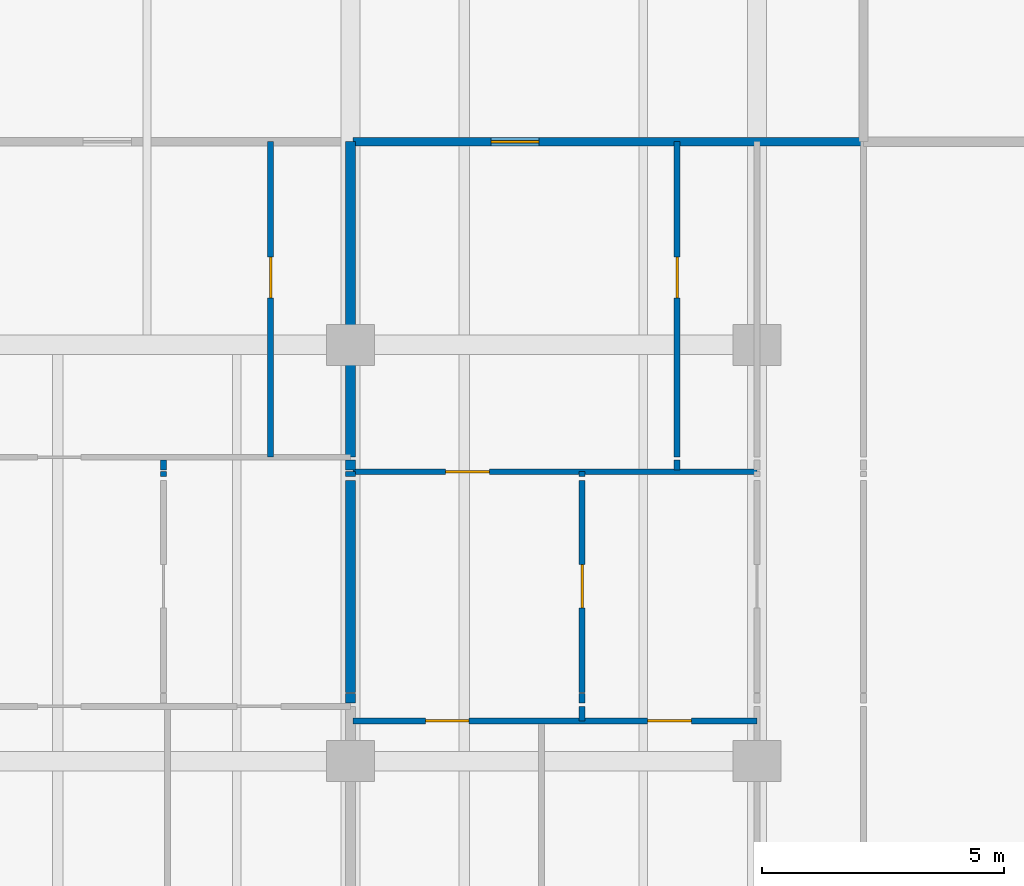
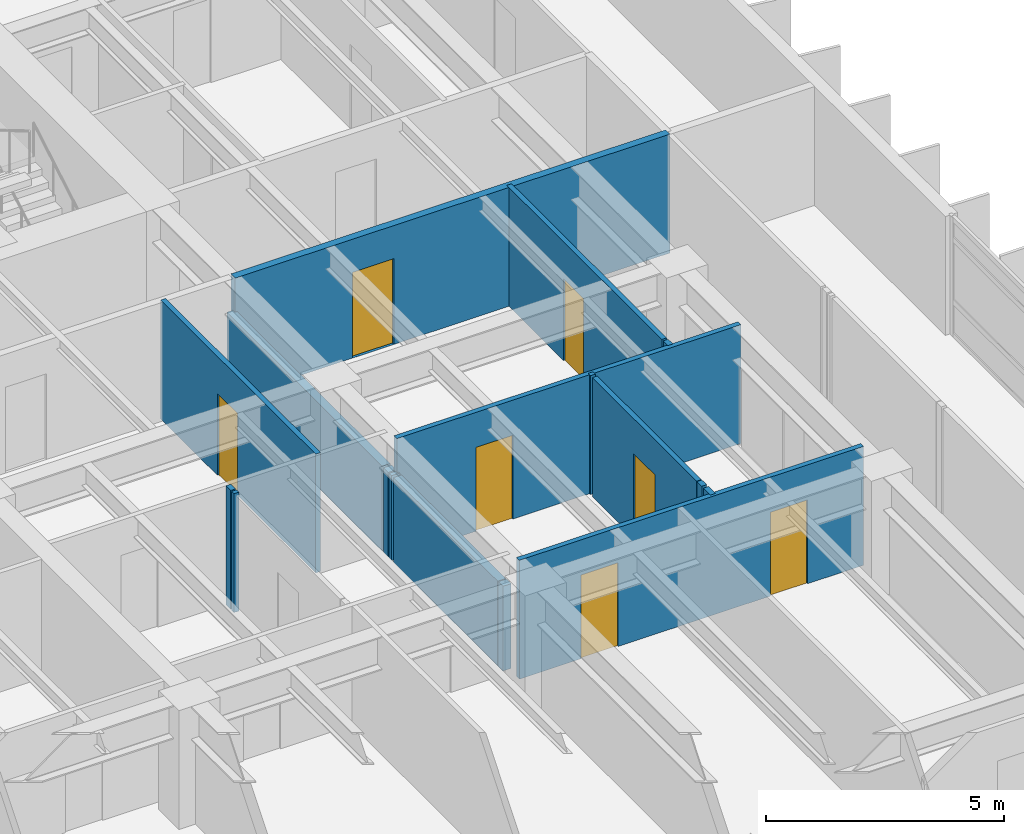
# One storey, part 11 of 19: 17 walls, 7 doors, 7 openings.
"""IFC4 building model written with IfcOpenShell, lengths in metres."""

from ifc_helpers import new_model, si_unit, direction, frame, frame_2d, origin, place, context, subcontext, project, spatial, rectangle, extrude, material, layer, layer_set, type_object, element, fill, save


model = new_model("IFC4")

# Units and contexts
model_context = context("Model", 3, precision=1e-05, world=origin(), true_north=direction((0.0, 1.0)))
body_context = subcontext(model_context, "Body", "Model", "MODEL_VIEW")
ifc_project = project(units=[si_unit("LENGTHUNIT", "METRE"), si_unit("AREAUNIT", "SQUARE_METRE"), si_unit("VOLUMEUNIT", "CUBIC_METRE"), si_unit("PLANEANGLEUNIT", "RADIAN"), si_unit("MASSUNIT", "GRAM", prefix="KILO")], contexts=[model_context])

# Site, building, storey
site_placement = place(None, origin())
site = spatial("IfcSite", under=ifc_project, at=site_placement, CompositionType="ELEMENT")
building_placement = place(site_placement, origin())
building = spatial("IfcBuilding", under=site, at=building_placement, Name="Caelmar Bay Residences", CompositionType="ELEMENT")
storey_placement = place(building_placement, frame((0.0, 0.0, 112.5)))
storey = spatial("IfcBuildingStorey", under=building, at=storey_placement, Name="L30", CompositionType="ELEMENT", Elevation=112.5)

# Wall, opening, door
ifc_material_1 = material(Name="Double-stud acoustic fire-rated gypsum partition 180 mm")
ifc_layer_1 = layer(ifc_material_1, 0.179931640625)
ifc_layer_set_1 = layer_set([ifc_layer_1], Name="Double-stud acoustic fire-rated gypsum partition 180 mm")
wall_type_1 = type_object("IfcWallType", Name="W-COR-200", PredefinedType="PARTITIONING", material=ifc_layer_set_1)
wall_1_placement = place(storey_placement, frame((59.550048828125, 33.60009765625, 0.0), z_axis=(0.0, 0.0, 1.0), x_axis=(1.0, 0.0, 0.0)))
wall_1 = element("IfcWall", 1, at=wall_1_placement, inside=storey, type_object=wall_type_1, Name="L30 Partition Wall H142", PredefinedType="PARTITIONING", context=body_context, shape_type="SweptSolid", body=[
    extrude(rectangle(XDim=10.550048828125, YDim=0.179931640625, at=frame_2d((5.27490234375, 0.0))), origin(), (0.0, 0.0, 1.0), 3.050048828125),
])
opening_1_placement = place(wall_1_placement, frame((2.85009765625, 0.0, 0.0)))
opening_1 = element("IfcOpeningElement", 2, at=opening_1_placement, cuts=wall_1, Name="Opening D-L30-154", PredefinedType="OPENING", context=body_context, shape_type="SweptSolid", body=[
    extrude(rectangle(XDim=1.0, YDim=2.199951171875, at=frame_2d((0.5, 1.10009765625))), frame((0.0, 0.099853515625, 0.0), z_axis=(0.0, -1.0, 0.0), x_axis=(1.0, 0.0, 0.0)), (0.0, 0.0, 1.0), 0.199951171875),
])
ifc_material_2 = material(Name="Fire-rated steel and walnut architectural door assembly", Category="steel")
ifc_layer_2 = layer(ifc_material_2, 0.050048828125)
ifc_layer_set_2 = layer_set([ifc_layer_2], Name="Fire-rated steel and walnut architectural door assembly")
door_type_1 = type_object("IfcDoorType", Name="D-UNIT-1000", OperationType="NOTDEFINED", PredefinedType="DOOR", material=ifc_layer_set_2)
door_1_placement = place(opening_1_placement, origin())
door_1 = element("IfcDoor", 3, at=door_1_placement, inside=storey, type_object=door_type_1, Name="L30 Residence 05 Apartment Hall Door", OperationType="SINGLE_SWING_RIGHT", OverallHeight=2.199951171875, OverallWidth=1.0, PredefinedType="DOOR", context=body_context, shape_type="SweptSolid", body=[
    extrude(rectangle(XDim=1.0, YDim=2.199951171875, at=frame_2d((0.5, 1.10009765625))), frame((0.0, 0.02490234375, 0.0), z_axis=(0.0, -1.0, 0.0), x_axis=(1.0, 0.0, 0.0)), (0.0, 0.0, 1.0), 0.050048828125),
])
fill(opening_1, door_1)

# Walls
ifc_material_3 = material(Name="Acoustic metal-stud gypsum partition 120 mm")
ifc_layer_3 = layer(ifc_material_3, 0.1201171875)
ifc_layer_set_3 = layer_set([ifc_layer_3], Name="Acoustic metal-stud gypsum partition 120 mm")
wall_type_2 = type_object("IfcWallType", Name="W-PRT-120", PredefinedType="PARTITIONING", material=ifc_layer_set_3)
wall_2_placement = place(storey_placement, frame((55.635986328125, 26.679931640625, 0.0), z_axis=(0.0, 0.0, 1.0), x_axis=(0.0, 1.0, 0.0)))
element("IfcWall", 4, at=wall_2_placement, inside=storey, type_object=wall_type_2, Name="L30 Partition Wall V081", PredefinedType="PARTITIONING", context=body_context, shape_type="SweptSolid", body=[
    extrude(rectangle(XDim=0.10009765625, YDim=0.1201171875, at=frame_2d((0.050048828125, 0.0))), origin(), (0.0, 0.0, 1.0), 3.050048828125),
])
wall_3_placement = place(storey_placement, frame((55.635986328125, 26.820068359375, 0.0), z_axis=(0.0, 0.0, 1.0), x_axis=(0.0, 1.0, 0.0)))
element("IfcWall", 5, at=wall_3_placement, inside=storey, type_object=wall_type_2, Name="L30 Partition Wall V082", PredefinedType="PARTITIONING", context=body_context, shape_type="SweptSolid", body=[
    extrude(rectangle(XDim=0.199951171875, YDim=0.1201171875, at=frame_2d((0.10009765625, 0.0))), origin(), (0.0, 0.0, 1.0), 3.050048828125),
])

# Wall, opening, door
wall_4_placement = place(storey_placement, frame((57.85009765625, 27.080078125, 0.0), z_axis=(0.0, 0.0, 1.0), x_axis=(0.0, 1.0, 0.0)))
wall_4 = element("IfcWall", 6, at=wall_4_placement, inside=storey, type_object=wall_type_2, Name="L30 Partition Wall V086", PredefinedType="PARTITIONING", context=body_context, shape_type="SweptSolid", body=[
    extrude(rectangle(XDim=6.52001953125, YDim=0.1201171875, at=frame_2d((3.260009765625, 0.0))), origin(), (0.0, 0.0, 1.0), 3.050048828125),
])
opening_2_placement = place(wall_4_placement, frame((3.284912109375, 0.0, 0.0)))
opening_2 = element("IfcOpeningElement", 7, at=opening_2_placement, cuts=wall_4, Name="Opening D-L30-148", PredefinedType="OPENING", context=body_context, shape_type="SweptSolid", body=[
    extrude(rectangle(XDim=0.85009765625, YDim=2.10009765625, at=frame_2d((0.425048828125, 1.050048828125))), frame((0.0, 0.070068359375, 0.0), z_axis=(0.0, -1.0, 0.0), x_axis=(1.0, 0.0, 0.0)), (0.0, 0.0, 1.0), 0.14013671875),
])
ifc_material_4 = material(Name="Solid walnut timber interior door leaf and frame", Category="wood")
ifc_layer_4 = layer(ifc_material_4, 0.050048828125)
ifc_layer_set_4 = layer_set([ifc_layer_4], Name="Solid walnut timber interior door leaf and frame")
door_type_2 = type_object("IfcDoorType", Name="D-BATH-850", OperationType="NOTDEFINED", PredefinedType="DOOR", material=ifc_layer_set_4)
door_2_placement = place(opening_2_placement, origin())
door_2 = element("IfcDoor", 8, at=door_2_placement, inside=storey, type_object=door_type_2, Name="L30 Residence 04 Bathroom Door", OperationType="SINGLE_SWING_RIGHT", OverallHeight=2.10009765625, OverallWidth=0.85009765625, PredefinedType="DOOR", context=body_context, shape_type="SweptSolid", body=[
    extrude(rectangle(XDim=0.85009765625, YDim=2.10009765625, at=frame_2d((0.425048828125, 1.050048828125))), frame((0.0, 0.02490234375, 0.0), z_axis=(0.0, -1.0, 0.0), x_axis=(1.0, 0.0, 0.0)), (0.0, 0.0, 1.0), 0.050048828125),
])
fill(opening_2, door_2)

# Walls
wall_5_placement = place(storey_placement, frame((64.285888671875, 21.6298828125, 0.0), z_axis=(0.0, 0.0, 1.0), x_axis=(0.0, 1.0, 0.0)))
element("IfcWall", 9, at=wall_5_placement, inside=storey, type_object=wall_type_2, Name="L30 Partition Wall V097", PredefinedType="PARTITIONING", context=body_context, shape_type="SweptSolid", body=[
    extrude(rectangle(XDim=0.300048828125, YDim=0.1201171875, at=frame_2d((0.14990234375, 0.0))), origin(), (0.0, 0.0, 1.0), 3.050048828125),
])
wall_6_placement = place(storey_placement, frame((64.285888671875, 22.0, 0.0), z_axis=(0.0, 0.0, 1.0), x_axis=(0.0, 1.0, 0.0)))
element("IfcWall", 10, at=wall_6_placement, inside=storey, type_object=wall_type_2, Name="L30 Partition Wall V098", PredefinedType="PARTITIONING", context=body_context, shape_type="SweptSolid", body=[
    extrude(rectangle(XDim=0.199951171875, YDim=0.1201171875, at=frame_2d((0.10009765625, 0.0))), origin(), (0.0, 0.0, 1.0), 3.050048828125),
])

# Wall, opening, door
wall_7_placement = place(storey_placement, frame((64.285888671875, 22.219970703125, 0.0), z_axis=(0.0, 0.0, 1.0), x_axis=(0.0, 1.0, 0.0)))
wall_7 = element("IfcWall", 11, at=wall_7_placement, inside=storey, type_object=wall_type_2, Name="L30 Partition Wall V099", PredefinedType="PARTITIONING", context=body_context, shape_type="SweptSolid", body=[
    extrude(rectangle(XDim=4.380126953125, YDim=0.1201171875, at=frame_2d((2.18994140625, 0.0))), origin(), (0.0, 0.0, 1.0), 3.050048828125),
])
opening_3_placement = place(wall_7_placement, frame((1.739990234375, 0.0, 0.0)))
opening_3 = element("IfcOpeningElement", 12, at=opening_3_placement, cuts=wall_7, Name="Opening D-L30-157", PredefinedType="OPENING", context=body_context, shape_type="SweptSolid", body=[
    extrude(rectangle(XDim=0.89990234375, YDim=2.14990234375, at=frame_2d((0.449951171875, 1.074951171875))), frame((0.0, 0.070068359375, 0.0), z_axis=(0.0, -1.0, 0.0), x_axis=(1.0, 0.0, 0.0)), (0.0, 0.0, 1.0), 0.14013671875),
])
ifc_layer_5 = layer(ifc_material_4, 0.050048828125)
ifc_layer_set_5 = layer_set([ifc_layer_5], Name="Solid walnut timber interior door leaf and frame")
door_type_3 = type_object("IfcDoorType", Name="D-ROOM-900", OperationType="NOTDEFINED", PredefinedType="DOOR", material=ifc_layer_set_5)
door_3_placement = place(opening_3_placement, origin())
door_3 = element("IfcDoor", 13, at=door_3_placement, inside=storey, type_object=door_type_3, Name="L30 Residence 05 Private Meeting Room Door", OperationType="SINGLE_SWING_LEFT", OverallHeight=2.14990234375, OverallWidth=0.89990234375, PredefinedType="DOOR", context=body_context, shape_type="SweptSolid", body=[
    extrude(rectangle(XDim=0.89990234375, YDim=2.14990234375, at=frame_2d((0.449951171875, 1.074951171875))), frame((0.0, 0.02490234375, 0.0), z_axis=(0.0, -1.0, 0.0), x_axis=(1.0, 0.0, 0.0)), (0.0, 0.0, 1.0), 0.050048828125),
])
fill(opening_3, door_3)

# Walls
wall_8_placement = place(storey_placement, frame((64.285888671875, 26.679931640625, 0.0), z_axis=(0.0, 0.0, 1.0), x_axis=(0.0, 1.0, 0.0)))
element("IfcWall", 14, at=wall_8_placement, inside=storey, type_object=wall_type_2, Name="L30 Partition Wall V100", PredefinedType="PARTITIONING", context=body_context, shape_type="SweptSolid", body=[
    extrude(rectangle(XDim=0.10009765625, YDim=0.1201171875, at=frame_2d((0.050048828125, 0.0))), origin(), (0.0, 0.0, 1.0), 3.050048828125),
])
wall_9_placement = place(storey_placement, frame((66.25, 26.820068359375, 0.0), z_axis=(0.0, 0.0, 1.0), x_axis=(0.0, 1.0, 0.0)))
element("IfcWall", 15, at=wall_9_placement, inside=storey, type_object=wall_type_2, Name="L30 Partition Wall V101", PredefinedType="PARTITIONING", context=body_context, shape_type="SweptSolid", body=[
    extrude(rectangle(XDim=0.199951171875, YDim=0.1201171875, at=frame_2d((0.10009765625, 0.0))), origin(), (0.0, 0.0, 1.0), 3.050048828125),
])

# Wall, opening, door
wall_10_placement = place(storey_placement, frame((66.25, 27.080078125, 0.0), z_axis=(0.0, 0.0, 1.0), x_axis=(0.0, 1.0, 0.0)))
wall_10 = element("IfcWall", 16, at=wall_10_placement, inside=storey, type_object=wall_type_2, Name="L30 Partition Wall V102", PredefinedType="PARTITIONING", context=body_context, shape_type="SweptSolid", body=[
    extrude(rectangle(XDim=6.52001953125, YDim=0.1201171875, at=frame_2d((3.260009765625, 0.0))), origin(), (0.0, 0.0, 1.0), 3.050048828125),
])
opening_4_placement = place(wall_10_placement, frame((3.284912109375, 0.0, 0.0)))
opening_4 = element("IfcOpeningElement", 17, at=opening_4_placement, cuts=wall_10, Name="Opening D-L30-155", PredefinedType="OPENING", context=body_context, shape_type="SweptSolid", body=[
    extrude(rectangle(XDim=0.85009765625, YDim=2.10009765625, at=frame_2d((0.425048828125, 1.050048828125))), frame((0.0, 0.070068359375, 0.0), z_axis=(0.0, -1.0, 0.0), x_axis=(1.0, 0.0, 0.0)), (0.0, 0.0, 1.0), 0.14013671875),
])
door_4_placement = place(opening_4_placement, origin())
door_4 = element("IfcDoor", 18, at=door_4_placement, inside=storey, type_object=door_type_2, Name="L30 Residence 05 Bathroom Door", OperationType="SINGLE_SWING_LEFT", OverallHeight=2.10009765625, OverallWidth=0.85009765625, PredefinedType="DOOR", context=body_context, shape_type="SweptSolid", body=[
    extrude(rectangle(XDim=0.85009765625, YDim=2.10009765625, at=frame_2d((0.425048828125, 1.050048828125))), frame((0.0, 0.02490234375, 0.0), z_axis=(0.0, -1.0, 0.0), x_axis=(1.0, 0.0, 0.0)), (0.0, 0.0, 1.0), 0.050048828125),
])
fill(opening_4, door_4)

# Wall, openings, doors
wall_11_placement = place(storey_placement, frame((59.550048828125, 21.6298828125, 0.0), z_axis=(0.0, 0.0, 1.0), x_axis=(1.0, 0.0, 0.0)))
wall_11 = element("IfcWall", 19, at=wall_11_placement, inside=storey, type_object=wall_type_2, Name="L30 Partition Wall H126", PredefinedType="PARTITIONING", context=body_context, shape_type="SweptSolid", body=[
    extrude(rectangle(XDim=8.349853515625, YDim=0.1201171875, at=frame_2d((4.1748046875, 0.0))), origin(), (0.0, 0.0, 1.0), 3.050048828125),
])
opening_5_placement = place(wall_11_placement, frame((1.4990234375, 0.0, 0.0)))
opening_5 = element("IfcOpeningElement", 20, at=opening_5_placement, cuts=wall_11, Name="Opening D-L30-158", PredefinedType="OPENING", context=body_context, shape_type="SweptSolid", body=[
    extrude(rectangle(XDim=0.89990234375, YDim=2.14990234375, at=frame_2d((0.449951171875, 1.074951171875))), frame((0.0, 0.070068359375, 0.0), z_axis=(0.0, -1.0, 0.0), x_axis=(1.0, 0.0, 0.0)), (0.0, 0.0, 1.0), 0.14013671875),
])
opening_6_placement = place(wall_11_placement, frame((6.093017578125, 0.0, 0.0)))
opening_6 = element("IfcOpeningElement", 21, at=opening_6_placement, cuts=wall_11, Name="Opening D-L30-159", PredefinedType="OPENING", context=body_context, shape_type="SweptSolid", body=[
    extrude(rectangle(XDim=0.89990234375, YDim=2.14990234375, at=frame_2d((0.449951171875, 1.074951171875))), frame((0.0, 0.070068359375, 0.0), z_axis=(0.0, -1.0, 0.0), x_axis=(1.0, 0.0, 0.0)), (0.0, 0.0, 1.0), 0.14013671875),
])
door_5_placement = place(opening_5_placement, origin())
door_5 = element("IfcDoor", 22, at=door_5_placement, inside=storey, type_object=door_type_3, Name="L30 Residence 05 Living Room Door", OperationType="SINGLE_SWING_RIGHT", OverallHeight=2.14990234375, OverallWidth=0.89990234375, PredefinedType="DOOR", context=body_context, shape_type="SweptSolid", body=[
    extrude(rectangle(XDim=0.89990234375, YDim=2.14990234375, at=frame_2d((0.449951171875, 1.074951171875))), frame((0.0, 0.02490234375, 0.0), z_axis=(0.0, -1.0, 0.0), x_axis=(1.0, 0.0, 0.0)), (0.0, 0.0, 1.0), 0.050048828125),
])
fill(opening_5, door_5)
door_6_placement = place(opening_6_placement, origin())
door_6 = element("IfcDoor", 23, at=door_6_placement, inside=storey, type_object=door_type_3, Name="L30 Residence 05 Penthouse Sitting Room Door", OperationType="SINGLE_SWING_LEFT", OverallHeight=2.14990234375, OverallWidth=0.89990234375, PredefinedType="DOOR", context=body_context, shape_type="SweptSolid", body=[
    extrude(rectangle(XDim=0.89990234375, YDim=2.14990234375, at=frame_2d((0.449951171875, 1.074951171875))), frame((0.0, 0.02490234375, 0.0), z_axis=(0.0, -1.0, 0.0), x_axis=(1.0, 0.0, 0.0)), (0.0, 0.0, 1.0), 0.050048828125),
])
fill(opening_6, door_6)

# Wall, opening, door
wall_12_placement = place(storey_placement, frame((59.550048828125, 26.780029296875, 0.0), z_axis=(0.0, 0.0, 1.0), x_axis=(1.0, 0.0, 0.0)))
wall_12 = element("IfcWall", 24, at=wall_12_placement, inside=storey, type_object=wall_type_2, Name="L30 Partition Wall H134", PredefinedType="PARTITIONING", context=body_context, shape_type="SweptSolid", body=[
    extrude(rectangle(XDim=8.349853515625, YDim=0.1201171875, at=frame_2d((4.1748046875, 0.0))), origin(), (0.0, 0.0, 1.0), 3.050048828125),
])
opening_7_placement = place(wall_12_placement, frame((1.91796875, 0.0, 0.0)))
opening_7 = element("IfcOpeningElement", 25, at=opening_7_placement, cuts=wall_12, Name="Opening D-L30-156", PredefinedType="OPENING", context=body_context, shape_type="SweptSolid", body=[
    extrude(rectangle(XDim=0.89990234375, YDim=2.14990234375, at=frame_2d((0.449951171875, 1.074951171875))), frame((0.0, 0.070068359375, 0.0), z_axis=(0.0, -1.0, 0.0), x_axis=(1.0, 0.0, 0.0)), (0.0, 0.0, 1.0), 0.14013671875),
])
door_7_placement = place(opening_7_placement, origin())
door_7 = element("IfcDoor", 26, at=door_7_placement, inside=storey, type_object=door_type_3, Name="L30 Residence 05 Kitchen Door", OperationType="SINGLE_SWING_RIGHT", OverallHeight=2.14990234375, OverallWidth=0.89990234375, PredefinedType="DOOR", context=body_context, shape_type="SweptSolid", body=[
    extrude(rectangle(XDim=0.89990234375, YDim=2.14990234375, at=frame_2d((0.449951171875, 1.074951171875))), frame((0.0, 0.02490234375, 0.0), z_axis=(0.0, -1.0, 0.0), x_axis=(1.0, 0.0, 0.0)), (0.0, 0.0, 1.0), 0.050048828125),
])
fill(opening_7, door_7)

# Walls
ifc_material_5 = material(Name="Acoustic twin-stud fire-rated inter-tenancy partition 200 mm")
ifc_layer_6 = layer(ifc_material_5, 0.199951171875)
ifc_layer_set_6 = layer_set([ifc_layer_6], Name="Acoustic twin-stud fire-rated inter-tenancy partition 200 mm")
wall_type_3 = type_object("IfcWallType", Name="W-PTY-200", PredefinedType="PARTITIONING", material=ifc_layer_set_6)
wall_13_placement = place(storey_placement, frame((59.5, 22.0, 0.0), z_axis=(0.0, 0.0, 1.0), x_axis=(0.0, 1.0, 0.0)))
element("IfcWall", 27, at=wall_13_placement, inside=storey, type_object=wall_type_3, Name="L30 Partition Wall V089", PredefinedType="PARTITIONING", context=body_context, shape_type="SweptSolid", body=[
    extrude(rectangle(XDim=0.199951171875, YDim=0.199951171875, at=frame_2d((0.10009765625, 0.0))), origin(), (0.0, 0.0, 1.0), 2.174072265625),
])
wall_14_placement = place(storey_placement, frame((59.5, 22.219970703125, 0.0), z_axis=(0.0, 0.0, 1.0), x_axis=(0.0, 1.0, 0.0)))
element("IfcWall", 28, at=wall_14_placement, inside=storey, type_object=wall_type_3, Name="L30 Partition Wall V090", PredefinedType="PARTITIONING", context=body_context, shape_type="SweptSolid", body=[
    extrude(rectangle(XDim=4.380126953125, YDim=0.199951171875, at=frame_2d((2.18994140625, 0.0))), origin(), (0.0, 0.0, 1.0), 2.174072265625),
])
wall_15_placement = place(storey_placement, frame((59.5, 26.679931640625, 0.0), z_axis=(0.0, 0.0, 1.0), x_axis=(0.0, 1.0, 0.0)))
element("IfcWall", 29, at=wall_15_placement, inside=storey, type_object=wall_type_3, Name="L30 Partition Wall V091", PredefinedType="PARTITIONING", context=body_context, shape_type="SweptSolid", body=[
    extrude(rectangle(XDim=0.10009765625, YDim=0.199951171875, at=frame_2d((0.050048828125, 0.0))), origin(), (0.0, 0.0, 1.0), 2.174072265625),
])
wall_16_placement = place(storey_placement, frame((59.5, 26.820068359375, 0.0), z_axis=(0.0, 0.0, 1.0), x_axis=(0.0, 1.0, 0.0)))
element("IfcWall", 30, at=wall_16_placement, inside=storey, type_object=wall_type_3, Name="L30 Partition Wall V092", PredefinedType="PARTITIONING", context=body_context, shape_type="SweptSolid", body=[
    extrude(rectangle(XDim=0.199951171875, YDim=0.199951171875, at=frame_2d((0.10009765625, 0.0))), origin(), (0.0, 0.0, 1.0), 2.174072265625),
])
wall_17_placement = place(storey_placement, frame((59.5, 27.080078125, 0.0), z_axis=(0.0, 0.0, 1.0), x_axis=(0.0, 1.0, 0.0)))
element("IfcWall", 31, at=wall_17_placement, inside=storey, type_object=wall_type_3, Name="L30 Partition Wall V093", PredefinedType="PARTITIONING", context=body_context, shape_type="SweptSolid", body=[
    extrude(rectangle(XDim=6.52001953125, YDim=0.199951171875, at=frame_2d((3.260009765625, 0.0))), origin(), (0.0, 0.0, 1.0), 2.174072265625),
])

save(model, "model.ifc")
